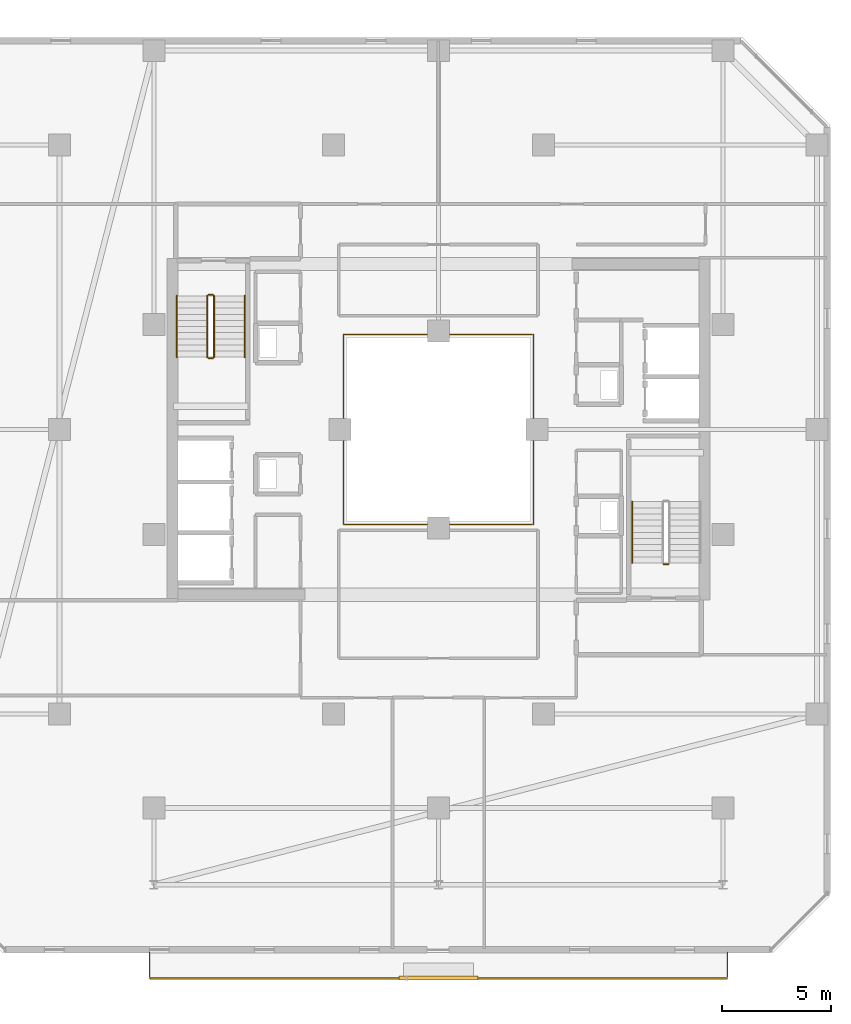
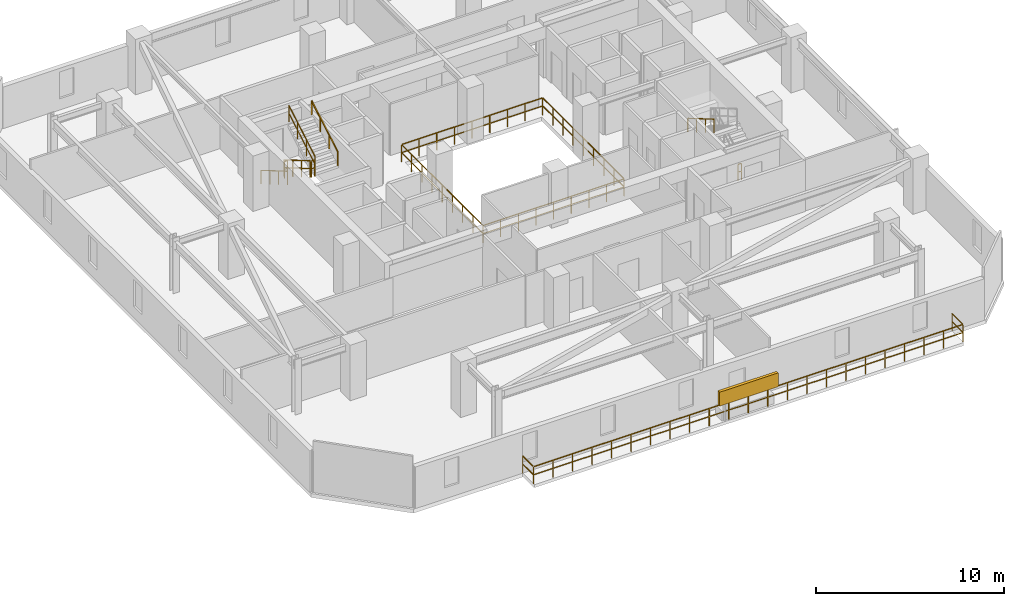
# One storey, part 32 of 33: 10 railings, 1 shading device.
"""IFC4 building model written with IfcOpenShell, lengths in metres."""

from ifc_helpers import new_model, si_unit, direction, frame, origin, origin_2d, place, context, subcontext, project, spatial, rectangle, extrude, material, type_object, element, save


model = new_model("IFC4")

# Units and contexts
model_context = context("Model", 3, precision=1e-05, world=origin(), true_north=direction((0.0, 1.0)))
body_context = subcontext(model_context, "Body", "Model", "MODEL_VIEW")
ifc_project = project(units=[si_unit("LENGTHUNIT", "METRE"), si_unit("AREAUNIT", "SQUARE_METRE"), si_unit("VOLUMEUNIT", "CUBIC_METRE"), si_unit("PLANEANGLEUNIT", "RADIAN"), si_unit("MASSUNIT", "GRAM", prefix="KILO")], contexts=[model_context])

# Site, building, storey
site_placement = place(None, origin())
site = spatial("IfcSite", under=ifc_project, at=site_placement, CompositionType="ELEMENT")
building_placement = place(site_placement, origin())
building = spatial("IfcBuilding", under=site, at=building_placement, Name="Thornwick Lancets Civic Towers", CompositionType="ELEMENT")
storey_placement = place(building_placement, frame((0.0, 0.0, 203.699951171875)))
storey = spatial("IfcBuildingStorey", under=building, at=storey_placement, Name="L54", CompositionType="ELEMENT", Elevation=203.699951171875)

# Railings
ifc_material_1 = material(Name="Laminated glass and bronze steel S355", Category="steel")
railing_type_1 = type_object("IfcRailingType", Name="RAIL_ATRIUM_GUARD", PredefinedType="BALUSTRADE", material=ifc_material_1)
railing_1_placement = place(storey_placement, frame((84.159912109375, 22.659912109375, 0.0)))
element("IfcRailing", 1, at=railing_1_placement, inside=storey, type_object=railing_type_1, Name="L54 Tower B Central Atrium Guard Balustrade", PredefinedType="BALUSTRADE", context=body_context, shape_type="SweptSolid", body=[
    extrude(rectangle(XDim=0.048095703125, YDim=0.048095703125, at=origin_2d()), frame((0.0, 0.0, 1.1259765625), z_axis=(1.0, 0.0, 0.0), x_axis=(0.0, 1.0, 0.0)), (0.0, 0.0, 1.0), 8.64892578125),
    extrude(rectangle(XDim=0.0419921875, YDim=0.0419921875, at=origin_2d()), frame((0.03759765625, 0.0, 0.597900390625), z_axis=(1.0, 0.0, 0.0), x_axis=(0.0, 1.0, 0.0)), (0.0, 0.0, 1.0), 1.010009765625),
    extrude(rectangle(XDim=0.0419921875, YDim=0.0419921875, at=origin_2d()), frame((1.12255859375, 0.0, 0.597900390625), z_axis=(1.0, 0.0, 0.0), x_axis=(0.0, 1.0, 0.0)), (0.0, 0.0, 1.0), 1.010009765625),
    extrude(rectangle(XDim=0.0419921875, YDim=0.0419921875, at=origin_2d()), frame((2.20751953125, 0.0, 0.597900390625), z_axis=(1.0, 0.0, 0.0), x_axis=(0.0, 1.0, 0.0)), (0.0, 0.0, 1.0), 1.010009765625),
    extrude(rectangle(XDim=0.0419921875, YDim=0.0419921875, at=origin_2d()), frame((3.29248046875, 0.0, 0.597900390625), z_axis=(1.0, 0.0, 0.0), x_axis=(0.0, 1.0, 0.0)), (0.0, 0.0, 1.0), 1.010009765625),
    extrude(rectangle(XDim=0.0419921875, YDim=0.0419921875, at=origin_2d()), frame((4.377685546875, 0.0, 0.597900390625), z_axis=(1.0, 0.0, 0.0), x_axis=(0.0, 1.0, 0.0)), (0.0, 0.0, 1.0), 1.010009765625),
    extrude(rectangle(XDim=0.0419921875, YDim=0.0419921875, at=origin_2d()), frame((5.462646484375, 0.0, 0.597900390625), z_axis=(1.0, 0.0, 0.0), x_axis=(0.0, 1.0, 0.0)), (0.0, 0.0, 1.0), 1.010009765625),
    extrude(rectangle(XDim=0.0419921875, YDim=0.0419921875, at=origin_2d()), frame((6.547607421875, 0.0, 0.597900390625), z_axis=(1.0, 0.0, 0.0), x_axis=(0.0, 1.0, 0.0)), (0.0, 0.0, 1.0), 1.010009765625),
    extrude(rectangle(XDim=0.0419921875, YDim=0.0419921875, at=origin_2d()), frame((7.632568359375, 0.0, 0.597900390625), z_axis=(1.0, 0.0, 0.0), x_axis=(0.0, 1.0, 0.0)), (0.0, 0.0, 1.0), 1.010009765625),
    extrude(rectangle(XDim=0.048095703125, YDim=0.048095703125, at=origin_2d()), frame((8.68017578125, 0.03125, 1.1259765625), z_axis=(0.0, 1.0, 0.0), x_axis=(-1.0, 0.0, 0.0)), (0.0, 0.0, 1.0), 8.61767578125),
    extrude(rectangle(XDim=0.0419921875, YDim=0.0419921875, at=origin_2d()), frame((8.68017578125, 0.03759765625, 0.597900390625), z_axis=(0.0, 1.0, 0.0), x_axis=(-1.0, 0.0, 0.0)), (0.0, 0.0, 1.0), 1.010009765625),
    extrude(rectangle(XDim=0.0419921875, YDim=0.0419921875, at=origin_2d()), frame((8.68017578125, 1.12255859375, 0.597900390625), z_axis=(0.0, 1.0, 0.0), x_axis=(-1.0, 0.0, 0.0)), (0.0, 0.0, 1.0), 1.010009765625),
    extrude(rectangle(XDim=0.0419921875, YDim=0.0419921875, at=origin_2d()), frame((8.68017578125, 2.20751953125, 0.597900390625), z_axis=(0.0, 1.0, 0.0), x_axis=(-1.0, 0.0, 0.0)), (0.0, 0.0, 1.0), 1.010009765625),
    extrude(rectangle(XDim=0.0419921875, YDim=0.0419921875, at=origin_2d()), frame((8.68017578125, 3.29248046875, 0.597900390625), z_axis=(0.0, 1.0, 0.0), x_axis=(-1.0, 0.0, 0.0)), (0.0, 0.0, 1.0), 1.010009765625),
    extrude(rectangle(XDim=0.0419921875, YDim=0.0419921875, at=origin_2d()), frame((8.68017578125, 4.377685546875, 0.597900390625), z_axis=(0.0, 1.0, 0.0), x_axis=(-1.0, 0.0, 0.0)), (0.0, 0.0, 1.0), 1.010009765625),
    extrude(rectangle(XDim=0.0419921875, YDim=0.0419921875, at=origin_2d()), frame((8.68017578125, 5.462646484375, 0.597900390625), z_axis=(0.0, 1.0, 0.0), x_axis=(-1.0, 0.0, 0.0)), (0.0, 0.0, 1.0), 1.010009765625),
    extrude(rectangle(XDim=0.0419921875, YDim=0.0419921875, at=origin_2d()), frame((8.68017578125, 6.547607421875, 0.597900390625), z_axis=(0.0, 1.0, 0.0), x_axis=(-1.0, 0.0, 0.0)), (0.0, 0.0, 1.0), 1.010009765625),
    extrude(rectangle(XDim=0.0419921875, YDim=0.0419921875, at=origin_2d()), frame((8.68017578125, 7.632568359375, 0.597900390625), z_axis=(0.0, 1.0, 0.0), x_axis=(-1.0, 0.0, 0.0)), (0.0, 0.0, 1.0), 1.010009765625),
    extrude(rectangle(XDim=0.048095703125, YDim=0.048095703125, at=origin_2d()), frame((8.64892578125, 8.68017578125, 1.1259765625), z_axis=(-1.0, 0.0, 0.0), x_axis=(0.0, -1.0, 0.0)), (0.0, 0.0, 1.0), 8.61767578125),
    extrude(rectangle(XDim=0.0419921875, YDim=0.0419921875, at=origin_2d()), frame((8.642578125, 8.68017578125, 0.597900390625), z_axis=(-1.0, 0.0, 0.0), x_axis=(0.0, -1.0, 0.0)), (0.0, 0.0, 1.0), 1.010009765625),
    extrude(rectangle(XDim=0.0419921875, YDim=0.0419921875, at=origin_2d()), frame((7.5576171875, 8.68017578125, 0.597900390625), z_axis=(-1.0, 0.0, 0.0), x_axis=(0.0, -1.0, 0.0)), (0.0, 0.0, 1.0), 1.010009765625),
    extrude(rectangle(XDim=0.0419921875, YDim=0.0419921875, at=origin_2d()), frame((6.47265625, 8.68017578125, 0.597900390625), z_axis=(-1.0, 0.0, 0.0), x_axis=(0.0, -1.0, 0.0)), (0.0, 0.0, 1.0), 1.010009765625),
    extrude(rectangle(XDim=0.0419921875, YDim=0.0419921875, at=origin_2d()), frame((5.3876953125, 8.68017578125, 0.597900390625), z_axis=(-1.0, 0.0, 0.0), x_axis=(0.0, -1.0, 0.0)), (0.0, 0.0, 1.0), 1.010009765625),
    extrude(rectangle(XDim=0.0419921875, YDim=0.0419921875, at=origin_2d()), frame((4.302490234375, 8.68017578125, 0.597900390625), z_axis=(-1.0, 0.0, 0.0), x_axis=(0.0, -1.0, 0.0)), (0.0, 0.0, 1.0), 1.010009765625),
    extrude(rectangle(XDim=0.0419921875, YDim=0.0419921875, at=origin_2d()), frame((3.217529296875, 8.68017578125, 0.597900390625), z_axis=(-1.0, 0.0, 0.0), x_axis=(0.0, -1.0, 0.0)), (0.0, 0.0, 1.0), 1.010009765625),
    extrude(rectangle(XDim=0.0419921875, YDim=0.0419921875, at=origin_2d()), frame((2.132568359375, 8.68017578125, 0.597900390625), z_axis=(-1.0, 0.0, 0.0), x_axis=(0.0, -1.0, 0.0)), (0.0, 0.0, 1.0), 1.010009765625),
    extrude(rectangle(XDim=0.0419921875, YDim=0.0419921875, at=origin_2d()), frame((1.047607421875, 8.68017578125, 0.597900390625), z_axis=(-1.0, 0.0, 0.0), x_axis=(0.0, -1.0, 0.0)), (0.0, 0.0, 1.0), 1.010009765625),
    extrude(rectangle(XDim=0.048095703125, YDim=0.048095703125, at=origin_2d()), frame((0.0, 8.64892578125, 1.1259765625), z_axis=(0.0, -1.0, 0.0), x_axis=(1.0, 0.0, 0.0)), (0.0, 0.0, 1.0), 8.64892578125),
    extrude(rectangle(XDim=0.0419921875, YDim=0.0419921875, at=origin_2d()), frame((0.0, 8.642578125, 0.597900390625), z_axis=(0.0, -1.0, 0.0), x_axis=(1.0, 0.0, 0.0)), (0.0, 0.0, 1.0), 1.010009765625),
    extrude(rectangle(XDim=0.0419921875, YDim=0.0419921875, at=origin_2d()), frame((0.0, 7.5576171875, 0.597900390625), z_axis=(0.0, -1.0, 0.0), x_axis=(1.0, 0.0, 0.0)), (0.0, 0.0, 1.0), 1.010009765625),
    extrude(rectangle(XDim=0.0419921875, YDim=0.0419921875, at=origin_2d()), frame((0.0, 6.47265625, 0.597900390625), z_axis=(0.0, -1.0, 0.0), x_axis=(1.0, 0.0, 0.0)), (0.0, 0.0, 1.0), 1.010009765625),
    extrude(rectangle(XDim=0.0419921875, YDim=0.0419921875, at=origin_2d()), frame((0.0, 5.3876953125, 0.597900390625), z_axis=(0.0, -1.0, 0.0), x_axis=(1.0, 0.0, 0.0)), (0.0, 0.0, 1.0), 1.010009765625),
    extrude(rectangle(XDim=0.0419921875, YDim=0.0419921875, at=origin_2d()), frame((0.0, 4.302490234375, 0.597900390625), z_axis=(0.0, -1.0, 0.0), x_axis=(1.0, 0.0, 0.0)), (0.0, 0.0, 1.0), 1.010009765625),
    extrude(rectangle(XDim=0.0419921875, YDim=0.0419921875, at=origin_2d()), frame((0.0, 3.217529296875, 0.597900390625), z_axis=(0.0, -1.0, 0.0), x_axis=(1.0, 0.0, 0.0)), (0.0, 0.0, 1.0), 1.010009765625),
    extrude(rectangle(XDim=0.0419921875, YDim=0.0419921875, at=origin_2d()), frame((0.0, 2.132568359375, 0.597900390625), z_axis=(0.0, -1.0, 0.0), x_axis=(1.0, 0.0, 0.0)), (0.0, 0.0, 1.0), 1.010009765625),
    extrude(rectangle(XDim=0.0419921875, YDim=0.0419921875, at=origin_2d()), frame((0.0, 1.047607421875, 0.597900390625), z_axis=(0.0, -1.0, 0.0), x_axis=(1.0, 0.0, 0.0)), (0.0, 0.0, 1.0), 1.010009765625),
    extrude(rectangle(XDim=0.0419921875, YDim=0.0419921875, at=origin_2d()), origin(), (0.0, 0.0, 1.0), 1.095703125),
    extrude(rectangle(XDim=0.0419921875, YDim=0.0419921875, at=origin_2d()), frame((1.0849609375, 0.0, 0.0)), (0.0, 0.0, 1.0), 1.095703125),
    extrude(rectangle(XDim=0.0419921875, YDim=0.0419921875, at=origin_2d()), frame((2.169921875, 0.0, 0.0)), (0.0, 0.0, 1.0), 1.095703125),
    extrude(rectangle(XDim=0.0419921875, YDim=0.0419921875, at=origin_2d()), frame((3.255126953125, 0.0, 0.0)), (0.0, 0.0, 1.0), 1.095703125),
    extrude(rectangle(XDim=0.0419921875, YDim=0.0419921875, at=origin_2d()), frame((4.340087890625, 0.0, 0.0)), (0.0, 0.0, 1.0), 1.095703125),
    extrude(rectangle(XDim=0.0419921875, YDim=0.0419921875, at=origin_2d()), frame((5.425048828125, 0.0, 0.0)), (0.0, 0.0, 1.0), 1.095703125),
    extrude(rectangle(XDim=0.0419921875, YDim=0.0419921875, at=origin_2d()), frame((6.51025390625, 0.0, 0.0)), (0.0, 0.0, 1.0), 1.095703125),
    extrude(rectangle(XDim=0.0419921875, YDim=0.0419921875, at=origin_2d()), frame((7.59521484375, 0.0, 0.0)), (0.0, 0.0, 1.0), 1.095703125),
    extrude(rectangle(XDim=0.0419921875, YDim=0.0419921875, at=origin_2d()), frame((8.68017578125, 0.0, 0.0)), (0.0, 0.0, 1.0), 1.095703125),
    extrude(rectangle(XDim=0.0419921875, YDim=0.0419921875, at=origin_2d()), frame((8.68017578125, 1.0849609375, 0.0)), (0.0, 0.0, 1.0), 1.095703125),
    extrude(rectangle(XDim=0.0419921875, YDim=0.0419921875, at=origin_2d()), frame((8.68017578125, 2.169921875, 0.0)), (0.0, 0.0, 1.0), 1.095703125),
    extrude(rectangle(XDim=0.0419921875, YDim=0.0419921875, at=origin_2d()), frame((8.68017578125, 3.255126953125, 0.0)), (0.0, 0.0, 1.0), 1.095703125),
    extrude(rectangle(XDim=0.0419921875, YDim=0.0419921875, at=origin_2d()), frame((8.68017578125, 4.340087890625, 0.0)), (0.0, 0.0, 1.0), 1.095703125),
    extrude(rectangle(XDim=0.0419921875, YDim=0.0419921875, at=origin_2d()), frame((8.68017578125, 5.425048828125, 0.0)), (0.0, 0.0, 1.0), 1.095703125),
    extrude(rectangle(XDim=0.0419921875, YDim=0.0419921875, at=origin_2d()), frame((8.68017578125, 6.51025390625, 0.0)), (0.0, 0.0, 1.0), 1.095703125),
    extrude(rectangle(XDim=0.0419921875, YDim=0.0419921875, at=origin_2d()), frame((8.68017578125, 7.59521484375, 0.0)), (0.0, 0.0, 1.0), 1.095703125),
    extrude(rectangle(XDim=0.0419921875, YDim=0.0419921875, at=origin_2d()), frame((8.68017578125, 8.68017578125, 0.0)), (0.0, 0.0, 1.0), 1.095703125),
    extrude(rectangle(XDim=0.0419921875, YDim=0.0419921875, at=origin_2d()), frame((7.59521484375, 8.68017578125, 0.0)), (0.0, 0.0, 1.0), 1.095703125),
    extrude(rectangle(XDim=0.0419921875, YDim=0.0419921875, at=origin_2d()), frame((6.51025390625, 8.68017578125, 0.0)), (0.0, 0.0, 1.0), 1.095703125),
    extrude(rectangle(XDim=0.0419921875, YDim=0.0419921875, at=origin_2d()), frame((5.425048828125, 8.68017578125, 0.0)), (0.0, 0.0, 1.0), 1.095703125),
    extrude(rectangle(XDim=0.0419921875, YDim=0.0419921875, at=origin_2d()), frame((4.340087890625, 8.68017578125, 0.0)), (0.0, 0.0, 1.0), 1.095703125),
    extrude(rectangle(XDim=0.0419921875, YDim=0.0419921875, at=origin_2d()), frame((3.255126953125, 8.68017578125, 0.0)), (0.0, 0.0, 1.0), 1.095703125),
    extrude(rectangle(XDim=0.0419921875, YDim=0.0419921875, at=origin_2d()), frame((2.169921875, 8.68017578125, 0.0)), (0.0, 0.0, 1.0), 1.095703125),
    extrude(rectangle(XDim=0.0419921875, YDim=0.0419921875, at=origin_2d()), frame((1.0849609375, 8.68017578125, 0.0)), (0.0, 0.0, 1.0), 1.095703125),
    extrude(rectangle(XDim=0.0419921875, YDim=0.0419921875, at=origin_2d()), frame((0.0, 8.68017578125, 0.0)), (0.0, 0.0, 1.0), 1.095703125),
    extrude(rectangle(XDim=0.0419921875, YDim=0.0419921875, at=origin_2d()), frame((0.0, 7.59521484375, 0.0)), (0.0, 0.0, 1.0), 1.095703125),
    extrude(rectangle(XDim=0.0419921875, YDim=0.0419921875, at=origin_2d()), frame((0.0, 6.51025390625, 0.0)), (0.0, 0.0, 1.0), 1.095703125),
    extrude(rectangle(XDim=0.0419921875, YDim=0.0419921875, at=origin_2d()), frame((0.0, 5.425048828125, 0.0)), (0.0, 0.0, 1.0), 1.095703125),
    extrude(rectangle(XDim=0.0419921875, YDim=0.0419921875, at=origin_2d()), frame((0.0, 4.340087890625, 0.0)), (0.0, 0.0, 1.0), 1.095703125),
    extrude(rectangle(XDim=0.0419921875, YDim=0.0419921875, at=origin_2d()), frame((0.0, 3.255126953125, 0.0)), (0.0, 0.0, 1.0), 1.095703125),
    extrude(rectangle(XDim=0.0419921875, YDim=0.0419921875, at=origin_2d()), frame((0.0, 2.169921875, 0.0)), (0.0, 0.0, 1.0), 1.095703125),
    extrude(rectangle(XDim=0.0419921875, YDim=0.0419921875, at=origin_2d()), frame((0.0, 1.0849609375, 0.0)), (0.0, 0.0, 1.0), 1.095703125),
])
ifc_material_2 = material(Name="Brushed stainless steel S355", Category="steel")
railing_type_2 = type_object("IfcRailingType", Name="RAIL_HANDRAIL", PredefinedType="HANDRAIL", material=ifc_material_2)
for number, where, name in (
    (2, (97.35009765625, 23.699951171875, 1.963623046875), "L54 ST-B1 stair handrail 2"),
    (3, (76.550048828125, 33.10009765625, 0.16357421875), "L54 ST-B2 stair handrail 1"),
):
    element("IfcRailing", number, at=place(storey_placement, frame(where)), inside=storey, type_object=railing_type_2, Name=name, PredefinedType="HANDRAIL", context=body_context, shape_type="SweptSolid", body=[
        extrude(rectangle(XDim=0.048095703125, YDim=0.048095703125, at=origin_2d()), frame((0.0, 0.0, 0.8857421875), z_axis=(0.0, -0.863360870873, 0.504586966384), x_axis=(1.0, 0.0, 0.0)), (0.0, 0.0, 1.0), 3.2431640625),
        extrude(rectangle(XDim=0.0419921875, YDim=0.0419921875, at=origin_2d()), origin(), (0.0, 0.0, 1.0), 0.855712890625),
        extrude(rectangle(XDim=0.0419921875, YDim=0.0419921875, at=origin_2d()), frame((0.0, -0.933349609375, 0.54541015625)), (0.0, 0.0, 1.0), 0.855712890625),
        extrude(rectangle(XDim=0.0419921875, YDim=0.0419921875, at=origin_2d()), frame((0.0, -1.86669921875, 1.091064453125)), (0.0, 0.0, 1.0), 0.855712890625),
        extrude(rectangle(XDim=0.0419921875, YDim=0.0419921875, at=origin_2d()), frame((0.0, -2.800048828125, 1.636474609375)), (0.0, 0.0, 1.0), 0.855712890625),
    ])
railing_2_placement = place(storey_placement, frame((79.64990234375, 30.300048828125, 1.963623046875)))
element("IfcRailing", 4, at=railing_2_placement, inside=storey, type_object=railing_type_2, Name="L54 ST-B2 stair handrail 2", PredefinedType="HANDRAIL", context=body_context, shape_type="SweptSolid", body=[
    extrude(rectangle(XDim=0.048095703125, YDim=0.048095703125, at=origin_2d()), frame((0.0, 0.0, 0.8857421875), z_axis=(0.0, 0.863360870873, 0.504586966384), x_axis=(-1.0, 0.0, 0.0)), (0.0, 0.0, 1.0), 3.2431640625),
    extrude(rectangle(XDim=0.0419921875, YDim=0.0419921875, at=origin_2d()), origin(), (0.0, 0.0, 1.0), 0.855712890625),
    extrude(rectangle(XDim=0.0419921875, YDim=0.0419921875, at=origin_2d()), frame((0.0, 0.933349609375, 0.54541015625)), (0.0, 0.0, 1.0), 0.855712890625),
    extrude(rectangle(XDim=0.0419921875, YDim=0.0419921875, at=origin_2d()), frame((0.0, 1.86669921875, 1.091064453125)), (0.0, 0.0, 1.0), 0.855712890625),
    extrude(rectangle(XDim=0.0419921875, YDim=0.0419921875, at=origin_2d()), frame((0.0, 2.800048828125, 1.636474609375)), (0.0, 0.0, 1.0), 0.855712890625),
])
ifc_material_3 = material(Name="Steel S355JR", Category="steel")
railing_type_3 = type_object("IfcRailingType", Name="RAIL_STAIR_GUARD", PredefinedType="GUARDRAIL", material=ifc_material_3)
railing_3_placement = place(storey_placement, frame((99.0, 20.85009765625, 0.0)))
element("IfcRailing", 5, at=railing_3_placement, inside=storey, type_object=railing_type_3, Name="L54 ST-B1 stair guard 4", PredefinedType="GUARDRAIL", context=body_context, shape_type="SweptSolid", body=[
    extrude(rectangle(XDim=0.048095703125, YDim=0.048095703125, at=origin_2d()), frame((0.0, 0.0, 1.076171875), z_axis=(-1.0, 0.0, 0.0), x_axis=(0.0, -1.0, 0.0)), (0.0, 0.0, 1.0), 0.199951171875),
    extrude(rectangle(XDim=0.0419921875, YDim=0.0419921875, at=origin_2d()), frame((-0.03759765625, 0.0, 0.572021484375), z_axis=(-1.0, 0.0, 0.0), x_axis=(0.0, -1.0, 0.0)), (0.0, 0.0, 1.0), 0.125),
    extrude(rectangle(XDim=0.0419921875, YDim=0.0419921875, at=origin_2d()), origin(), (0.0, 0.0, 1.0), 1.0458984375),
    extrude(rectangle(XDim=0.0419921875, YDim=0.0419921875, at=origin_2d()), frame((-0.199951171875, 0.0, 0.0)), (0.0, 0.0, 1.0), 1.0458984375),
])
railing_4_placement = place(storey_placement, frame((77.949951171875, 33.10009765625, 0.16357421875)))
element("IfcRailing", 6, at=railing_4_placement, inside=storey, type_object=railing_type_3, Name="L54 ST-B2 stair guard 1", PredefinedType="GUARDRAIL", context=body_context, shape_type="SweptSolid", body=[
    extrude(rectangle(XDim=0.048095703125, YDim=0.048095703125, at=origin_2d()), frame((0.0, 0.0, 1.076171875), z_axis=(0.0, -0.863360870873, 0.504586966384), x_axis=(1.0, 0.0, 0.0)), (0.0, 0.0, 1.0), 3.2431640625),
    extrude(rectangle(XDim=0.0419921875, YDim=0.0419921875, at=origin_2d()), frame((0.0, -0.032470703125, 0.591064453125), z_axis=(0.0, -0.863360870873, 0.504586966384), x_axis=(1.0, 0.0, 0.0)), (0.0, 0.0, 1.0), 1.006103515625),
    extrude(rectangle(XDim=0.0419921875, YDim=0.0419921875, at=origin_2d()), frame((0.0, -0.9658203125, 1.136474609375), z_axis=(0.0, -0.863360870873, 0.504586966384), x_axis=(1.0, 0.0, 0.0)), (0.0, 0.0, 1.0), 1.006103515625),
    extrude(rectangle(XDim=0.0419921875, YDim=0.0419921875, at=origin_2d()), frame((0.0, -1.899169921875, 1.681884765625), z_axis=(0.0, -0.863360870873, 0.504586966384), x_axis=(1.0, 0.0, 0.0)), (0.0, 0.0, 1.0), 1.006103515625),
    extrude(rectangle(XDim=0.0419921875, YDim=0.0419921875, at=origin_2d()), origin(), (0.0, 0.0, 1.0), 1.0458984375),
    extrude(rectangle(XDim=0.0419921875, YDim=0.0419921875, at=origin_2d()), frame((0.0, -0.933349609375, 0.54541015625)), (0.0, 0.0, 1.0), 1.0458984375),
    extrude(rectangle(XDim=0.0419921875, YDim=0.0419921875, at=origin_2d()), frame((0.0, -1.86669921875, 1.091064453125)), (0.0, 0.0, 1.0), 1.0458984375),
    extrude(rectangle(XDim=0.0419921875, YDim=0.0419921875, at=origin_2d()), frame((0.0, -2.800048828125, 1.636474609375)), (0.0, 0.0, 1.0), 1.0458984375),
])
railing_5_placement = place(storey_placement, frame((78.0, 30.25, 1.800048828125)))
element("IfcRailing", 7, at=railing_5_placement, inside=storey, type_object=railing_type_3, Name="L54 ST-B2 stair guard 2", PredefinedType="GUARDRAIL", context=body_context, shape_type="SweptSolid", body=[
    extrude(rectangle(XDim=0.048095703125, YDim=0.048095703125, at=origin_2d()), frame((0.0, 0.0, 1.076171875), z_axis=(1.0, 0.0, 0.0), x_axis=(0.0, 1.0, 0.0)), (0.0, 0.0, 1.0), 0.199951171875),
    extrude(rectangle(XDim=0.0419921875, YDim=0.0419921875, at=origin_2d()), frame((0.03759765625, 0.0, 0.572021484375), z_axis=(1.0, 0.0, 0.0), x_axis=(0.0, 1.0, 0.0)), (0.0, 0.0, 1.0), 0.125),
    extrude(rectangle(XDim=0.0419921875, YDim=0.0419921875, at=origin_2d()), origin(), (0.0, 0.0, 1.0), 1.0458984375),
    extrude(rectangle(XDim=0.0419921875, YDim=0.0419921875, at=origin_2d()), frame((0.199951171875, 0.0, 0.0)), (0.0, 0.0, 1.0), 1.0458984375),
])
railing_6_placement = place(storey_placement, frame((78.25, 30.300048828125, 1.963623046875)))
element("IfcRailing", 8, at=railing_6_placement, inside=storey, type_object=railing_type_3, Name="L54 ST-B2 stair guard 3", PredefinedType="GUARDRAIL", context=body_context, shape_type="SweptSolid", body=[
    extrude(rectangle(XDim=0.048095703125, YDim=0.048095703125, at=origin_2d()), frame((0.0, 0.0, 1.076171875), z_axis=(0.0, 0.863360870873, 0.504586966384), x_axis=(-1.0, 0.0, 0.0)), (0.0, 0.0, 1.0), 3.2431640625),
    extrude(rectangle(XDim=0.0419921875, YDim=0.0419921875, at=origin_2d()), frame((0.0, 0.032470703125, 0.591064453125), z_axis=(0.0, 0.863360870873, 0.504586966384), x_axis=(-1.0, 0.0, 0.0)), (0.0, 0.0, 1.0), 1.006103515625),
    extrude(rectangle(XDim=0.0419921875, YDim=0.0419921875, at=origin_2d()), frame((0.0, 0.9658203125, 1.136474609375), z_axis=(0.0, 0.863360870873, 0.504586966384), x_axis=(-1.0, 0.0, 0.0)), (0.0, 0.0, 1.0), 1.006103515625),
    extrude(rectangle(XDim=0.0419921875, YDim=0.0419921875, at=origin_2d()), frame((0.0, 1.899169921875, 1.681884765625), z_axis=(0.0, 0.863360870873, 0.504586966384), x_axis=(-1.0, 0.0, 0.0)), (0.0, 0.0, 1.0), 1.006103515625),
    extrude(rectangle(XDim=0.0419921875, YDim=0.0419921875, at=origin_2d()), origin(), (0.0, 0.0, 1.0), 1.0458984375),
    extrude(rectangle(XDim=0.0419921875, YDim=0.0419921875, at=origin_2d()), frame((0.0, 0.933349609375, 0.54541015625)), (0.0, 0.0, 1.0), 1.0458984375),
    extrude(rectangle(XDim=0.0419921875, YDim=0.0419921875, at=origin_2d()), frame((0.0, 1.86669921875, 1.091064453125)), (0.0, 0.0, 1.0), 1.0458984375),
    extrude(rectangle(XDim=0.0419921875, YDim=0.0419921875, at=origin_2d()), frame((0.0, 2.800048828125, 1.636474609375)), (0.0, 0.0, 1.0), 1.0458984375),
])
railing_7_placement = place(storey_placement, frame((78.0, 33.14990234375, 0.0)))
element("IfcRailing", 9, at=railing_7_placement, inside=storey, type_object=railing_type_3, Name="L54 ST-B2 stair guard 4", PredefinedType="GUARDRAIL", context=body_context, shape_type="SweptSolid", body=[
    extrude(rectangle(XDim=0.048095703125, YDim=0.048095703125, at=origin_2d()), frame((0.0, 0.0, 1.076171875), z_axis=(1.0, 0.0, 0.0), x_axis=(0.0, 1.0, 0.0)), (0.0, 0.0, 1.0), 0.199951171875),
    extrude(rectangle(XDim=0.0419921875, YDim=0.0419921875, at=origin_2d()), frame((0.03759765625, 0.0, 0.572021484375), z_axis=(1.0, 0.0, 0.0), x_axis=(0.0, 1.0, 0.0)), (0.0, 0.0, 1.0), 0.125),
    extrude(rectangle(XDim=0.0419921875, YDim=0.0419921875, at=origin_2d()), origin(), (0.0, 0.0, 1.0), 1.0458984375),
    extrude(rectangle(XDim=0.0419921875, YDim=0.0419921875, at=origin_2d()), frame((0.199951171875, 0.0, 0.0)), (0.0, 0.0, 1.0), 1.0458984375),
])
ifc_material_4 = material(Name="Terracotta-capped laminated glass balustrade S355", Category="masonry")
railing_type_4 = type_object("IfcRailingType", Name="RAIL_TERR_GUARD", PredefinedType="GUARDRAIL", material=ifc_material_4)
railing_8_placement = place(storey_placement, frame((75.300048828125, 3.10009765625, 0.0)))
element("IfcRailing", 10, at=railing_8_placement, inside=storey, type_object=railing_type_4, Name="L54 Tower B Balcony Guard S", PredefinedType="GUARDRAIL", context=body_context, shape_type="SweptSolid", body=[
    extrude(rectangle(XDim=0.048095703125, YDim=0.048095703125, at=origin_2d()), frame((0.0, 0.0, 1.1259765625), z_axis=(0.0, -1.0, 0.0), x_axis=(1.0, 0.0, 0.0)), (0.0, 0.0, 1.0), 1.138916015625),
    extrude(rectangle(XDim=0.0419921875, YDim=0.0419921875, at=origin_2d()), frame((0.0, -0.03759765625, 0.597900390625), z_axis=(0.0, -1.0, 0.0), x_axis=(1.0, 0.0, 0.0)), (0.0, 0.0, 1.0), 1.09521484375),
    extrude(rectangle(XDim=0.048095703125, YDim=0.048095703125, at=origin_2d()), frame((0.03125, -1.170166015625, 1.1259765625), z_axis=(1.0, 0.0, 0.0), x_axis=(0.0, 1.0, 0.0)), (0.0, 0.0, 1.0), 26.33740234375),
    extrude(rectangle(XDim=0.0419921875, YDim=0.0419921875, at=origin_2d()), frame((0.03759765625, -1.170166015625, 0.597900390625), z_axis=(1.0, 0.0, 0.0), x_axis=(0.0, 1.0, 0.0)), (0.0, 0.0, 1.0), 1.125),
    extrude(rectangle(XDim=0.0419921875, YDim=0.0419921875, at=origin_2d()), frame((1.237548828125, -1.170166015625, 0.597900390625), z_axis=(1.0, 0.0, 0.0), x_axis=(0.0, 1.0, 0.0)), (0.0, 0.0, 1.0), 1.125),
    extrude(rectangle(XDim=0.0419921875, YDim=0.0419921875, at=origin_2d()), frame((2.4375, -1.170166015625, 0.597900390625), z_axis=(1.0, 0.0, 0.0), x_axis=(0.0, 1.0, 0.0)), (0.0, 0.0, 1.0), 1.125),
    extrude(rectangle(XDim=0.0419921875, YDim=0.0419921875, at=origin_2d()), frame((3.637451171875, -1.170166015625, 0.597900390625), z_axis=(1.0, 0.0, 0.0), x_axis=(0.0, 1.0, 0.0)), (0.0, 0.0, 1.0), 1.125),
    extrude(rectangle(XDim=0.0419921875, YDim=0.0419921875, at=origin_2d()), frame((4.83740234375, -1.170166015625, 0.597900390625), z_axis=(1.0, 0.0, 0.0), x_axis=(0.0, 1.0, 0.0)), (0.0, 0.0, 1.0), 1.125),
    extrude(rectangle(XDim=0.0419921875, YDim=0.0419921875, at=origin_2d()), frame((6.037353515625, -1.170166015625, 0.597900390625), z_axis=(1.0, 0.0, 0.0), x_axis=(0.0, 1.0, 0.0)), (0.0, 0.0, 1.0), 1.125),
    extrude(rectangle(XDim=0.0419921875, YDim=0.0419921875, at=origin_2d()), frame((7.237548828125, -1.170166015625, 0.597900390625), z_axis=(1.0, 0.0, 0.0), x_axis=(0.0, 1.0, 0.0)), (0.0, 0.0, 1.0), 1.125),
    extrude(rectangle(XDim=0.0419921875, YDim=0.0419921875, at=origin_2d()), frame((8.4375, -1.170166015625, 0.597900390625), z_axis=(1.0, 0.0, 0.0), x_axis=(0.0, 1.0, 0.0)), (0.0, 0.0, 1.0), 1.125),
    extrude(rectangle(XDim=0.0419921875, YDim=0.0419921875, at=origin_2d()), frame((9.637451171875, -1.170166015625, 0.597900390625), z_axis=(1.0, 0.0, 0.0), x_axis=(0.0, 1.0, 0.0)), (0.0, 0.0, 1.0), 1.125),
    extrude(rectangle(XDim=0.0419921875, YDim=0.0419921875, at=origin_2d()), frame((10.83740234375, -1.170166015625, 0.597900390625), z_axis=(1.0, 0.0, 0.0), x_axis=(0.0, 1.0, 0.0)), (0.0, 0.0, 1.0), 1.125),
    extrude(rectangle(XDim=0.0419921875, YDim=0.0419921875, at=origin_2d()), frame((12.037353515625, -1.170166015625, 0.597900390625), z_axis=(1.0, 0.0, 0.0), x_axis=(0.0, 1.0, 0.0)), (0.0, 0.0, 1.0), 1.125),
    extrude(rectangle(XDim=0.0419921875, YDim=0.0419921875, at=origin_2d()), frame((13.237548828125, -1.170166015625, 0.597900390625), z_axis=(1.0, 0.0, 0.0), x_axis=(0.0, 1.0, 0.0)), (0.0, 0.0, 1.0), 1.125),
    extrude(rectangle(XDim=0.0419921875, YDim=0.0419921875, at=origin_2d()), frame((14.4375, -1.170166015625, 0.597900390625), z_axis=(1.0, 0.0, 0.0), x_axis=(0.0, 1.0, 0.0)), (0.0, 0.0, 1.0), 1.125),
    extrude(rectangle(XDim=0.0419921875, YDim=0.0419921875, at=origin_2d()), frame((15.637451171875, -1.170166015625, 0.597900390625), z_axis=(1.0, 0.0, 0.0), x_axis=(0.0, 1.0, 0.0)), (0.0, 0.0, 1.0), 1.125),
    extrude(rectangle(XDim=0.0419921875, YDim=0.0419921875, at=origin_2d()), frame((16.83740234375, -1.170166015625, 0.597900390625), z_axis=(1.0, 0.0, 0.0), x_axis=(0.0, 1.0, 0.0)), (0.0, 0.0, 1.0), 1.125),
    extrude(rectangle(XDim=0.0419921875, YDim=0.0419921875, at=origin_2d()), frame((18.037353515625, -1.170166015625, 0.597900390625), z_axis=(1.0, 0.0, 0.0), x_axis=(0.0, 1.0, 0.0)), (0.0, 0.0, 1.0), 1.125),
    extrude(rectangle(XDim=0.0419921875, YDim=0.0419921875, at=origin_2d()), frame((19.2373046875, -1.170166015625, 0.597900390625), z_axis=(1.0, 0.0, 0.0), x_axis=(0.0, 1.0, 0.0)), (0.0, 0.0, 1.0), 1.125),
    extrude(rectangle(XDim=0.0419921875, YDim=0.0419921875, at=origin_2d()), frame((20.4375, -1.170166015625, 0.597900390625), z_axis=(1.0, 0.0, 0.0), x_axis=(0.0, 1.0, 0.0)), (0.0, 0.0, 1.0), 1.125),
    extrude(rectangle(XDim=0.0419921875, YDim=0.0419921875, at=origin_2d()), frame((21.637451171875, -1.170166015625, 0.597900390625), z_axis=(1.0, 0.0, 0.0), x_axis=(0.0, 1.0, 0.0)), (0.0, 0.0, 1.0), 1.125),
    extrude(rectangle(XDim=0.0419921875, YDim=0.0419921875, at=origin_2d()), frame((22.83740234375, -1.170166015625, 0.597900390625), z_axis=(1.0, 0.0, 0.0), x_axis=(0.0, 1.0, 0.0)), (0.0, 0.0, 1.0), 1.125),
    extrude(rectangle(XDim=0.0419921875, YDim=0.0419921875, at=origin_2d()), frame((24.037353515625, -1.170166015625, 0.597900390625), z_axis=(1.0, 0.0, 0.0), x_axis=(0.0, 1.0, 0.0)), (0.0, 0.0, 1.0), 1.125),
    extrude(rectangle(XDim=0.0419921875, YDim=0.0419921875, at=origin_2d()), frame((25.2373046875, -1.170166015625, 0.597900390625), z_axis=(1.0, 0.0, 0.0), x_axis=(0.0, 1.0, 0.0)), (0.0, 0.0, 1.0), 1.125),
    extrude(rectangle(XDim=0.048095703125, YDim=0.048095703125, at=origin_2d()), frame((26.39990234375, -1.138916015625, 1.1259765625), z_axis=(0.0, 1.0, 0.0), x_axis=(-1.0, 0.0, 0.0)), (0.0, 0.0, 1.0), 1.138916015625),
    extrude(rectangle(XDim=0.0419921875, YDim=0.0419921875, at=origin_2d()), frame((26.39990234375, -1.132568359375, 0.597900390625), z_axis=(0.0, 1.0, 0.0), x_axis=(-1.0, 0.0, 0.0)), (0.0, 0.0, 1.0), 1.09521484375),
    extrude(rectangle(XDim=0.0419921875, YDim=0.0419921875, at=origin_2d()), origin(), (0.0, 0.0, 1.0), 1.095703125),
    extrude(rectangle(XDim=0.0419921875, YDim=0.0419921875, at=origin_2d()), frame((0.0, -1.170166015625, 0.0)), (0.0, 0.0, 1.0), 1.095703125),
    extrude(rectangle(XDim=0.0419921875, YDim=0.0419921875, at=origin_2d()), frame((1.199951171875, -1.170166015625, 0.0)), (0.0, 0.0, 1.0), 1.095703125),
    extrude(rectangle(XDim=0.0419921875, YDim=0.0419921875, at=origin_2d()), frame((2.39990234375, -1.170166015625, 0.0)), (0.0, 0.0, 1.0), 1.095703125),
    extrude(rectangle(XDim=0.0419921875, YDim=0.0419921875, at=origin_2d()), frame((3.60009765625, -1.170166015625, 0.0)), (0.0, 0.0, 1.0), 1.095703125),
    extrude(rectangle(XDim=0.0419921875, YDim=0.0419921875, at=origin_2d()), frame((4.800048828125, -1.170166015625, 0.0)), (0.0, 0.0, 1.0), 1.095703125),
    extrude(rectangle(XDim=0.0419921875, YDim=0.0419921875, at=origin_2d()), frame((6.0, -1.170166015625, 0.0)), (0.0, 0.0, 1.0), 1.095703125),
    extrude(rectangle(XDim=0.0419921875, YDim=0.0419921875, at=origin_2d()), frame((7.199951171875, -1.170166015625, 0.0)), (0.0, 0.0, 1.0), 1.095703125),
    extrude(rectangle(XDim=0.0419921875, YDim=0.0419921875, at=origin_2d()), frame((8.39990234375, -1.170166015625, 0.0)), (0.0, 0.0, 1.0), 1.095703125),
    extrude(rectangle(XDim=0.0419921875, YDim=0.0419921875, at=origin_2d()), frame((9.599853515625, -1.170166015625, 0.0)), (0.0, 0.0, 1.0), 1.095703125),
    extrude(rectangle(XDim=0.0419921875, YDim=0.0419921875, at=origin_2d()), frame((10.800048828125, -1.170166015625, 0.0)), (0.0, 0.0, 1.0), 1.095703125),
    extrude(rectangle(XDim=0.0419921875, YDim=0.0419921875, at=origin_2d()), frame((12.0, -1.170166015625, 0.0)), (0.0, 0.0, 1.0), 1.095703125),
    extrude(rectangle(XDim=0.0419921875, YDim=0.0419921875, at=origin_2d()), frame((13.199951171875, -1.170166015625, 0.0)), (0.0, 0.0, 1.0), 1.095703125),
    extrude(rectangle(XDim=0.0419921875, YDim=0.0419921875, at=origin_2d()), frame((14.39990234375, -1.170166015625, 0.0)), (0.0, 0.0, 1.0), 1.095703125),
    extrude(rectangle(XDim=0.0419921875, YDim=0.0419921875, at=origin_2d()), frame((15.599853515625, -1.170166015625, 0.0)), (0.0, 0.0, 1.0), 1.095703125),
    extrude(rectangle(XDim=0.0419921875, YDim=0.0419921875, at=origin_2d()), frame((16.800048828125, -1.170166015625, 0.0)), (0.0, 0.0, 1.0), 1.095703125),
    extrude(rectangle(XDim=0.0419921875, YDim=0.0419921875, at=origin_2d()), frame((18.0, -1.170166015625, 0.0)), (0.0, 0.0, 1.0), 1.095703125),
    extrude(rectangle(XDim=0.0419921875, YDim=0.0419921875, at=origin_2d()), frame((19.199951171875, -1.170166015625, 0.0)), (0.0, 0.0, 1.0), 1.095703125),
    extrude(rectangle(XDim=0.0419921875, YDim=0.0419921875, at=origin_2d()), frame((20.39990234375, -1.170166015625, 0.0)), (0.0, 0.0, 1.0), 1.095703125),
    extrude(rectangle(XDim=0.0419921875, YDim=0.0419921875, at=origin_2d()), frame((21.599853515625, -1.170166015625, 0.0)), (0.0, 0.0, 1.0), 1.095703125),
    extrude(rectangle(XDim=0.0419921875, YDim=0.0419921875, at=origin_2d()), frame((22.7998046875, -1.170166015625, 0.0)), (0.0, 0.0, 1.0), 1.095703125),
    extrude(rectangle(XDim=0.0419921875, YDim=0.0419921875, at=origin_2d()), frame((24.0, -1.170166015625, 0.0)), (0.0, 0.0, 1.0), 1.095703125),
    extrude(rectangle(XDim=0.0419921875, YDim=0.0419921875, at=origin_2d()), frame((25.199951171875, -1.170166015625, 0.0)), (0.0, 0.0, 1.0), 1.095703125),
    extrude(rectangle(XDim=0.0419921875, YDim=0.0419921875, at=origin_2d()), frame((26.39990234375, -1.170166015625, 0.0)), (0.0, 0.0, 1.0), 1.095703125),
    extrude(rectangle(XDim=0.0419921875, YDim=0.0419921875, at=origin_2d()), frame((26.39990234375, 0.0, 0.0)), (0.0, 0.0, 1.0), 1.095703125),
])

# Shading device
ifc_material_5 = material(Name="Extruded terracotta baguette solar screen", Category="masonry")
shading_device_type = type_object("IfcShadingDeviceType", Name="SHADE_BAGUETTE", PredefinedType="JALOUSIE", material=ifc_material_5)
shading_device_placement = place(storey_placement, frame((88.5, 1.93994140625, 1.1201171875), z_axis=(0.0, 0.0, 1.0), x_axis=(1.0, 0.0, 0.0)))
element("IfcShadingDevice", 11, at=shading_device_placement, inside=storey, type_object=shading_device_type, Name="L54 Tower B Terracotta Baguette Screen S", PredefinedType="JALOUSIE", context=body_context, shape_type="SweptSolid", body=[
    extrude(rectangle(XDim=3.60009765625, YDim=0.179931640625, at=origin_2d()), origin(), (0.0, 0.0, 1.0), 0.89990234375),
])

save(model, "model.ifc")
